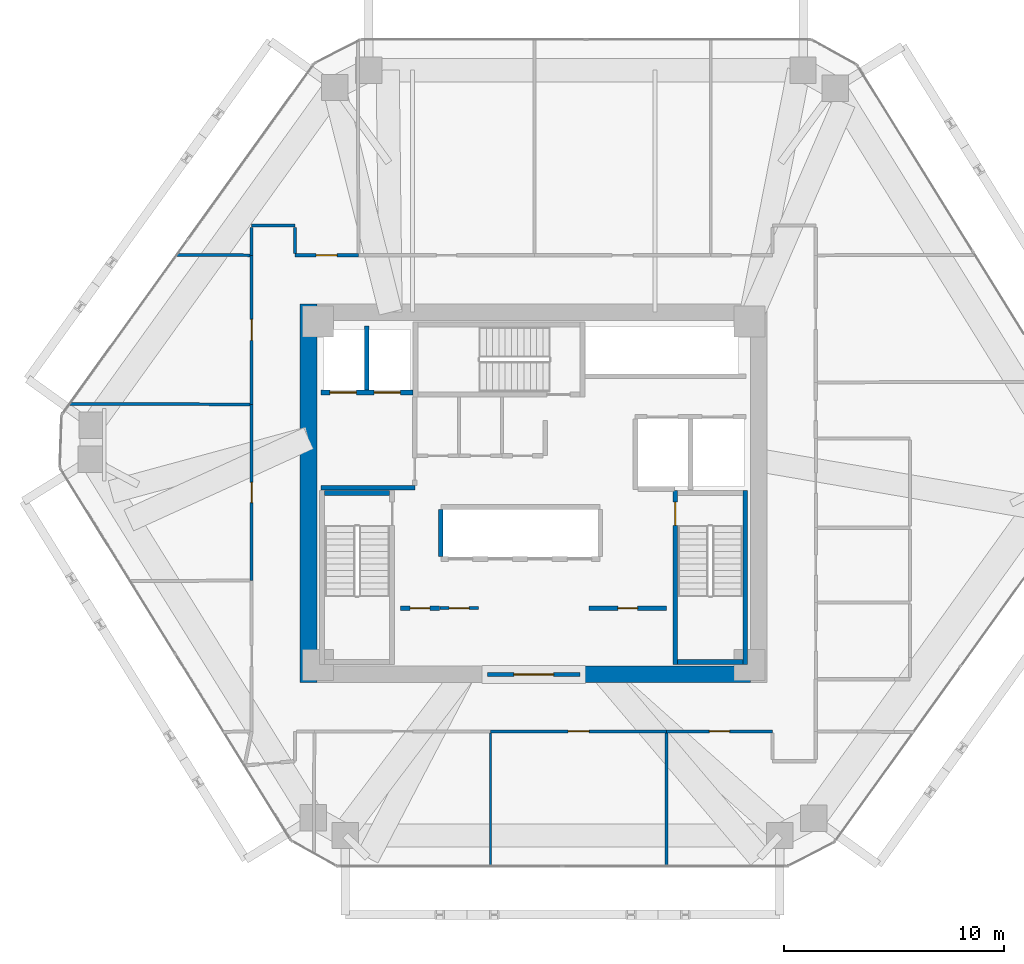
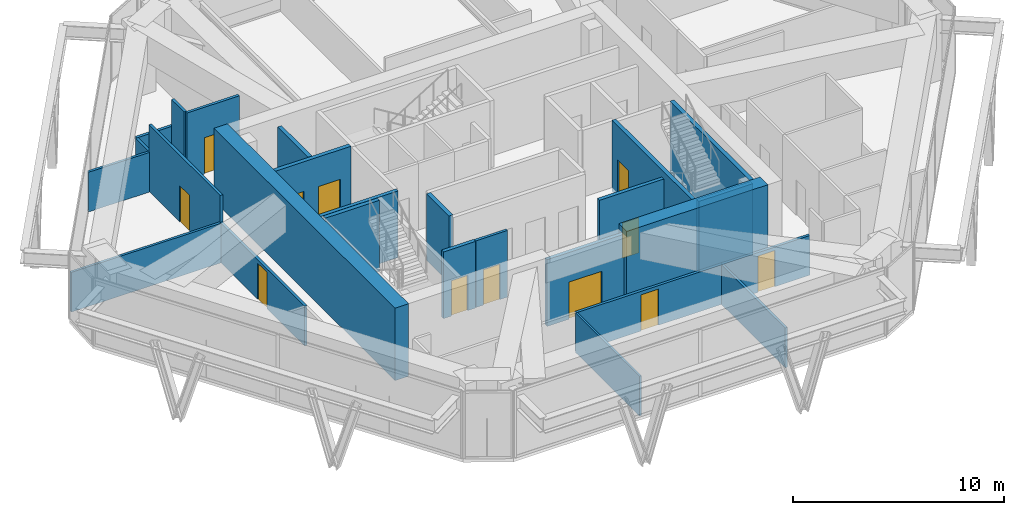
# One storey, part 10 of 14: 26 walls, 12 doors, 12 openings.
"""IFC4 building model written with IfcOpenShell, lengths in metres."""

from ifc_helpers import new_model, si_unit, direction, frame, frame_2d, origin, place, context, subcontext, project, spatial, rectangle, extrude, source, transform, mapped, material, layer, layer_set, type_object, type_shapes, element, fill, save


model = new_model("IFC4")

# Units and contexts
model_context = context("Model", 3, precision=1e-05, world=origin(), true_north=direction((0.0, 1.0)))
body_context = subcontext(model_context, "Body", "Model", "MODEL_VIEW")
ifc_project = project(units=[si_unit("LENGTHUNIT", "METRE"), si_unit("AREAUNIT", "SQUARE_METRE"), si_unit("VOLUMEUNIT", "CUBIC_METRE"), si_unit("PLANEANGLEUNIT", "RADIAN"), si_unit("MASSUNIT", "GRAM", prefix="KILO")], contexts=[model_context])

# Site, building, storey
site_placement = place(None, origin())
site = spatial("IfcSite", under=ifc_project, at=site_placement, CompositionType="ELEMENT")
building_placement = place(site_placement, origin())
building = spatial("IfcBuilding", under=site, at=building_placement, Name="Durnholm Broadcast Tower", CompositionType="ELEMENT")
storey_placement = place(building_placement, frame((0.0, 0.0, 146.10009765625)))
storey = spatial("IfcBuildingStorey", under=building, at=storey_placement, Name="L40", CompositionType="ELEMENT", Elevation=146.10009765625)

# Walls
ifc_material_1 = material(Name="Concrete C70/85", Category="concrete")
ifc_layer_1 = layer(ifc_material_1, 0.75)
ifc_layer_set_1 = layer_set([ifc_layer_1], Name="Concrete C70/85")
wall_type_1 = type_object("IfcWallType", Name="WALL-CW-750", PredefinedType="SHEAR", material=ifc_layer_set_1)
wall_1_placement = place(storey_placement, frame((-10.22509765625, -8.60009765625, 0.0), z_axis=(0.0, 0.0, 1.0), x_axis=(0.0, 1.0, 0.0)))
element("IfcWall", 1, at=wall_1_placement, inside=storey, type_object=wall_type_1, Name="L40 central core shear wall CW-WEST", PredefinedType="SHEAR", context=body_context, shape_type="SweptSolid", body=[
    extrude(rectangle(XDim=17.2001953125, YDim=0.75, at=frame_2d((8.60009765625, 0.0))), origin(), (0.0, 0.0, 1.0), 4.199951171875),
])
wall_2_placement = place(storey_placement, frame((2.10009765625, -8.22509765625, 0.0), z_axis=(0.0, 0.0, 1.0), x_axis=(1.0, 0.0, 0.0)))
element("IfcWall", 2, at=wall_2_placement, inside=storey, type_object=wall_type_1, Name="L40 central core shear wall CW-S2", PredefinedType="SHEAR", context=body_context, shape_type="SweptSolid", body=[
    extrude(rectangle(XDim=7.75, YDim=0.75, at=frame_2d((3.875, 0.0))), origin(), (0.0, 0.0, 1.0), 4.199951171875),
])

# Wall, opening, door
ifc_material_2 = material(Name="Fire-Rated Gypsum Shaftwall", Category="concrete")
ifc_layer_2 = layer(ifc_material_2, 0.199951171875)
ifc_layer_set_2 = layer_set([ifc_layer_2], Name="Fire-Rated Gypsum Shaftwall")
wall_type_2 = type_object("IfcWallType", Name="WALL-LOB-200", PredefinedType="SOLIDWALL", material=ifc_layer_set_2)
wall_3_placement = place(storey_placement, frame((-2.10009765625, -8.22509765625, 0.0), z_axis=(0.0, 0.0, 1.0), x_axis=(1.0, 0.0, 0.0)))
wall_3 = element("IfcWall", 3, at=wall_3_placement, inside=storey, type_object=wall_type_2, Name="L40 south core lobby fire screen", PredefinedType="SOLIDWALL", context=body_context, shape_type="SweptSolid", body=[
    extrude(rectangle(XDim=4.2001953125, YDim=0.199951171875, at=frame_2d((2.10009765625, 0.0))), origin(), (0.0, 0.0, 1.0), 3.864990234375),
])
opening_1_placement = place(wall_3_placement, frame((1.199951171875, 0.0, 0.0)))
opening_1 = element("IfcOpeningElement", 4, at=opening_1_placement, cuts=wall_3, Name="Opening DP-60", PredefinedType="OPENING", context=body_context, shape_type="SweptSolid", body=[
    extrude(rectangle(XDim=1.800048828125, YDim=2.14990234375, at=frame_2d((0.89990234375, 1.074951171875))), frame((0.0, 0.10986328125, 0.0), z_axis=(0.0, -1.0, 0.0), x_axis=(1.0, 0.0, 0.0)), (0.0, 0.0, 1.0), 0.219970703125),
])
ifc_material_3 = material(Name="Fire-Rated Double Corridor Door", Category="steel")
ifc_layer_3 = layer(ifc_material_3, 0.050048828125)
ifc_layer_set_3 = layer_set([ifc_layer_3], Name="Fire-Rated Double Corridor Door")
door_type_1 = type_object("IfcDoorType", Name="DOOR-PAIR-FD60", OperationType="DOUBLE_DOOR_SINGLE_SWING", PredefinedType="DOOR", material=ifc_layer_set_3)
shared_shape_1 = source(origin(), body_context, "Body", "SweptSolid", [
    extrude(rectangle(XDim=1.800048828125, YDim=2.14990234375, at=frame_2d((0.89990234375, 1.074951171875))), frame((0.0, 0.02490234375, 0.0), z_axis=(0.0, -1.0, 0.0), x_axis=(1.0, 0.0, 0.0)), (0.0, 0.0, 1.0), 0.050048828125),
])
type_shapes(door_type_1, [shared_shape_1])
door_1_placement = place(opening_1_placement, origin())
door_1 = element("IfcDoor", 5, at=door_1_placement, inside=storey, type_object=door_type_1, Name="L40 south core lobby double fire door", OperationType="DOUBLE_DOOR_SINGLE_SWING", OverallHeight=2.14990234375, OverallWidth=1.800048828125, PredefinedType="DOOR", context=body_context, shape_type="MappedRepresentation", body=[
    mapped(shared_shape_1, transform((0.0, 0.0, 0.0), x_axis=(1.0, 0.0, 0.0), y_axis=(0.0, 1.0, 0.0), z_axis=(0.0, 0.0, 1.0), scale=1.0)),
])
fill(opening_1, door_1)

# Wall
wall_4_placement = place(storey_placement, frame((-9.64990234375, 0.25, 0.0), z_axis=(0.0, 0.0, 1.0), x_axis=(1.0, 0.0, 0.0)))
element("IfcWall", 6, at=wall_4_placement, inside=storey, type_object=wall_type_2, Name="L40 Fire Service Access Elevator lobby south wall", PredefinedType="SOLIDWALL", context=body_context, shape_type="SweptSolid", body=[
    extrude(rectangle(XDim=4.27001953125, YDim=0.199951171875, at=frame_2d((2.135009765625, 0.0))), origin(), (0.0, 0.0, 1.0), 3.864990234375),
])

# Wall, opening, door
wall_5_placement = place(storey_placement, frame((-6.0400390625, -5.2099609375, 0.0), z_axis=(0.0, 0.0, 1.0), x_axis=(1.0, 0.0, 0.0)))
wall_5 = element("IfcWall", 7, at=wall_5_placement, inside=storey, type_object=wall_type_2, Name="L40 Media Fiber Patch Room corridor partition", PredefinedType="SOLIDWALL", context=body_context, shape_type="SweptSolid", body=[
    extrude(rectangle(XDim=1.760009765625, YDim=0.199951171875, at=frame_2d((0.8798828125, 0.0))), origin(), (0.0, 0.0, 1.0), 3.864990234375),
])
opening_2_placement = place(wall_5_placement, frame((0.429931640625, 0.0, 0.0)))
opening_2 = element("IfcOpeningElement", 8, at=opening_2_placement, cuts=wall_5, Name="Opening DC-60R", PredefinedType="OPENING", context=body_context, shape_type="SweptSolid", body=[
    extrude(rectangle(XDim=0.89990234375, YDim=2.050048828125, at=frame_2d((0.449951171875, 1.02490234375))), frame((0.0, 0.10986328125, 0.0), z_axis=(0.0, -1.0, 0.0), x_axis=(1.0, 0.0, 0.0)), (0.0, 0.0, 1.0), 0.219970703125),
])
ifc_material_4 = material(Name="Fire-Rated Core Service Door", Category="steel")
ifc_layer_4 = layer(ifc_material_4, 0.050048828125)
ifc_layer_set_4 = layer_set([ifc_layer_4], Name="Fire-Rated Core Service Door")
door_type_2 = type_object("IfcDoorType", Name="DOOR-CORE-FD60-R", OperationType="NOTDEFINED", PredefinedType="DOOR", material=ifc_layer_set_4)
shared_shape_2 = source(origin(), body_context, "Body", "SweptSolid", [
    extrude(rectangle(XDim=0.89990234375, YDim=2.050048828125, at=frame_2d((0.449951171875, 1.02490234375))), frame((0.0, 0.02490234375, 0.0), z_axis=(0.0, -1.0, 0.0), x_axis=(1.0, 0.0, 0.0)), (0.0, 0.0, 1.0), 0.050048828125),
])
type_shapes(door_type_2, [shared_shape_2])
door_2_placement = place(opening_2_placement, origin())
door_2 = element("IfcDoor", 9, at=door_2_placement, inside=storey, type_object=door_type_2, Name="L40 Media Fiber Patch Room entrance door", OperationType="SINGLE_SWING_RIGHT", OverallHeight=2.050048828125, OverallWidth=0.89990234375, PredefinedType="DOOR", context=body_context, shape_type="MappedRepresentation", body=[
    mapped(shared_shape_2, transform((0.0, 0.0, 0.0), x_axis=(1.0, 0.0, 0.0), y_axis=(0.0, 1.0, 0.0), z_axis=(0.0, 0.0, 1.0), scale=1.0)),
])
fill(opening_2, door_2)

wall_6_placement = place(storey_placement, frame((2.510009765625, -5.2099609375, 0.0), z_axis=(0.0, 0.0, 1.0), x_axis=(1.0, 0.0, 0.0)))
wall_6 = element("IfcWall", 10, at=wall_6_placement, inside=storey, type_object=wall_type_2, Name="L40 Telemetry Control Closet corridor partition", PredefinedType="SOLIDWALL", context=body_context, shape_type="SweptSolid", body=[
    extrude(rectangle(XDim=3.530029296875, YDim=0.199951171875, at=frame_2d((1.76513671875, 0.0))), origin(), (0.0, 0.0, 1.0), 3.864990234375),
])
opening_3_placement = place(wall_6_placement, frame((1.31494140625, 0.0, 0.0)))
opening_3 = element("IfcOpeningElement", 11, at=opening_3_placement, cuts=wall_6, Name="Opening DC-60R", PredefinedType="OPENING", context=body_context, shape_type="SweptSolid", body=[
    extrude(rectangle(XDim=0.89990234375, YDim=2.050048828125, at=frame_2d((0.449951171875, 1.02490234375))), frame((0.0, 0.10986328125, 0.0), z_axis=(0.0, -1.0, 0.0), x_axis=(1.0, 0.0, 0.0)), (0.0, 0.0, 1.0), 0.219970703125),
])
door_3_placement = place(opening_3_placement, origin())
door_3 = element("IfcDoor", 12, at=door_3_placement, inside=storey, type_object=door_type_2, Name="L40 Telemetry Control Closet entrance door", OperationType="SINGLE_SWING_RIGHT", OverallHeight=2.050048828125, OverallWidth=0.89990234375, PredefinedType="DOOR", context=body_context, shape_type="MappedRepresentation", body=[
    mapped(shared_shape_2, transform((0.0, 0.0, 0.0), x_axis=(1.0, 0.0, 0.0), y_axis=(0.0, 1.0, 0.0), z_axis=(0.0, 0.0, 1.0), scale=1.0)),
])
fill(opening_3, door_3)

# Walls
ifc_material_5 = material(Name="Operable Acoustic Panel Partition", Category="aluminium")
ifc_layer_5 = layer(ifc_material_5, 0.110107421875)
ifc_layer_set_5 = layer_set([ifc_layer_5], Name="Operable Acoustic Panel Partition")
wall_type_3 = type_object("IfcWallType", Name="WALL-MOV-110", PredefinedType="MOVABLE", material=ifc_layer_set_5)
wall_7_placement = place(storey_placement, frame((-1.9599609375, -10.888916015625, 0.0), z_axis=(0.0, 0.0, 1.0), x_axis=(0.0, -1.0, 0.0)))
element("IfcWall", 13, at=wall_7_placement, inside=storey, type_object=wall_type_3, Name="L40 room dividing partition 15.16", PredefinedType="MOVABLE", context=body_context, shape_type="SweptSolid", body=[
    extrude(rectangle(XDim=6.048095703125, YDim=0.110107421875, at=frame_2d((3.02392578125, 0.0))), origin(), (0.0, 0.0, 1.0), 2.2998046875),
])
ifc_material_6 = material(Name="Gypsum Metal Stud Partition", Category="concrete")
ifc_layer_6 = layer(ifc_material_6, 0.135009765625)
ifc_layer_set_6 = layer_set([ifc_layer_6], Name="Gypsum Metal Stud Partition")
wall_type_4 = type_object("IfcWallType", Name="WALL-PART-135", PredefinedType="PARTITIONING", material=ifc_layer_set_6)
wall_8_placement = place(storey_placement, frame((-12.888916015625, 10.810546875, 0.0), z_axis=(0.0, 0.0, 1.0), x_axis=(-0.999976657862, 0.006832549348, 0.0)))
element("IfcWall", 14, at=wall_8_placement, inside=storey, type_object=wall_type_4, Name="L40 room dividing partition 10.20", PredefinedType="PARTITIONING", context=body_context, shape_type="SweptSolid", body=[
    extrude(rectangle(XDim=3.322998046875, YDim=0.135009765625, at=frame_2d((1.66162109375, 0.0))), origin(), (0.0, 0.0, 1.0), 2.2998046875),
])
wall_9_placement = place(storey_placement, frame((6.0400390625, -10.888916015625, 0.0), z_axis=(0.0, 0.0, 1.0), x_axis=(0.0, -1.0, 0.0)))
element("IfcWall", 15, at=wall_9_placement, inside=storey, type_object=wall_type_4, Name="L40 room dividing partition 16.17", PredefinedType="PARTITIONING", context=body_context, shape_type="SweptSolid", body=[
    extrude(rectangle(XDim=6.048095703125, YDim=0.135009765625, at=frame_2d((3.02392578125, 0.0))), origin(), (0.0, 0.0, 1.0), 2.2998046875),
])
wall_10_placement = place(storey_placement, frame((-21.075439453125, 4.063232421875, 0.0), z_axis=(0.0, 0.0, 1.0), x_axis=(0.999996070799, -0.002803281363, 0.0)))
element("IfcWall", 16, at=wall_10_placement, inside=storey, type_object=wall_type_4, Name="L40 room dividing partition 19.20", PredefinedType="PARTITIONING", context=body_context, shape_type="SweptSolid", body=[
    extrude(rectangle(XDim=8.1865234375, YDim=0.135009765625, at=frame_2d((4.09326171875, 0.0))), origin(), (0.0, 0.0, 1.0), 2.2998046875),
])

# Wall, opening, door
ifc_material_7 = material(Name="Acoustic Gypsum Stud Partition", Category="concrete")
ifc_layer_7 = layer(ifc_material_7, 0.14990234375)
ifc_layer_set_7 = layer_set([ifc_layer_7], Name="Acoustic Gypsum Stud Partition")
wall_type_5 = type_object("IfcWallType", Name="WALL-PART-150", PredefinedType="PARTITIONING", material=ifc_layer_set_7)
wall_11_placement = place(storey_placement, frame((-4.260009765625, -5.2099609375, 0.0), z_axis=(0.0, 0.0, 1.0), x_axis=(1.0, 0.0, 0.0)))
wall_11 = element("IfcWall", 17, at=wall_11_placement, inside=storey, type_object=wall_type_5, Name="L40 Copy and Print Room corridor partition", PredefinedType="PARTITIONING", context=body_context, shape_type="SweptSolid", body=[
    extrude(rectangle(XDim=1.75, YDim=0.14990234375, at=frame_2d((0.875, 0.0))), origin(), (0.0, 0.0, 1.0), 3.864990234375),
])
opening_4_placement = place(wall_11_placement, frame((0.425048828125, 0.0, 0.0)))
opening_4 = element("IfcOpeningElement", 18, at=opening_4_placement, cuts=wall_11, Name="Opening DC-60L", PredefinedType="OPENING", context=body_context, shape_type="SweptSolid", body=[
    extrude(rectangle(XDim=0.89990234375, YDim=2.050048828125, at=frame_2d((0.449951171875, 1.02490234375))), frame((0.0, 0.0849609375, 0.0), z_axis=(0.0, -1.0, 0.0), x_axis=(1.0, 0.0, 0.0)), (0.0, 0.0, 1.0), 0.169921875),
])
ifc_layer_8 = layer(ifc_material_4, 0.050048828125)
ifc_layer_set_8 = layer_set([ifc_layer_8], Name="Fire-Rated Core Service Door")
door_type_3 = type_object("IfcDoorType", Name="DOOR-CORE-FD60-L", OperationType="NOTDEFINED", PredefinedType="DOOR", material=ifc_layer_set_8)
shared_shape_3 = source(origin(), body_context, "Body", "SweptSolid", [
    extrude(rectangle(XDim=0.89990234375, YDim=2.050048828125, at=frame_2d((0.449951171875, 1.02490234375))), frame((0.0, 0.02490234375, 0.0), z_axis=(0.0, -1.0, 0.0), x_axis=(1.0, 0.0, 0.0)), (0.0, 0.0, 1.0), 0.050048828125),
])
type_shapes(door_type_3, [shared_shape_3])
door_4_placement = place(opening_4_placement, origin())
door_4 = element("IfcDoor", 19, at=door_4_placement, inside=storey, type_object=door_type_3, Name="L40 Copy and Print Room entrance door", OperationType="SINGLE_SWING_LEFT", OverallHeight=2.050048828125, OverallWidth=0.89990234375, PredefinedType="DOOR", context=body_context, shape_type="MappedRepresentation", body=[
    mapped(shared_shape_3, transform((0.0, 0.0, 0.0), x_axis=(1.0, 0.0, 0.0), y_axis=(0.0, 1.0, 0.0), z_axis=(0.0, 0.0, 1.0), scale=1.0)),
])
fill(opening_4, door_4)

wall_12_placement = place(storey_placement, frame((-7.9599609375, 10.81005859375, 0.0), z_axis=(0.0, 0.0, 1.0), x_axis=(-1.0, 0.0, 0.0)))
wall_12 = element("IfcWall", 20, at=wall_12_placement, inside=storey, type_object=wall_type_5, Name="L40 Compliance Office 1 corridor partition", PredefinedType="PARTITIONING", context=body_context, shape_type="SweptSolid", body=[
    extrude(rectangle(XDim=2.880126953125, YDim=0.14990234375, at=frame_2d((1.43994140625, 0.0))), origin(), (0.0, 0.0, 1.0), 3.864990234375),
])
opening_5_placement = place(wall_12_placement, frame((0.965087890625, 0.0, 0.0)))
opening_5 = element("IfcOpeningElement", 21, at=opening_5_placement, cuts=wall_12, Name="Opening DR-95L", PredefinedType="OPENING", context=body_context, shape_type="SweptSolid", body=[
    extrude(rectangle(XDim=0.949951171875, YDim=2.10009765625, at=frame_2d((0.47509765625, 1.050048828125))), frame((0.0, 0.0849609375, 0.0), z_axis=(0.0, -1.0, 0.0), x_axis=(1.0, 0.0, 0.0)), (0.0, 0.0, 1.0), 0.169921875),
])
ifc_material_8 = material(Name="Acoustic Oak Veneer Timber Door", Category="wood")
ifc_layer_9 = layer(ifc_material_8, 0.050048828125)
ifc_layer_set_9 = layer_set([ifc_layer_9], Name="Acoustic Oak Veneer Timber Door")
door_type_4 = type_object("IfcDoorType", Name="DOOR-RM-950L", OperationType="NOTDEFINED", PredefinedType="DOOR", material=ifc_layer_set_9)
shared_shape_4 = source(origin(), body_context, "Body", "SweptSolid", [
    extrude(rectangle(XDim=0.949951171875, YDim=2.10009765625, at=frame_2d((0.47509765625, 1.050048828125))), frame((0.0, 0.02490234375, 0.0), z_axis=(0.0, -1.0, 0.0), x_axis=(1.0, 0.0, 0.0)), (0.0, 0.0, 1.0), 0.050048828125),
])
type_shapes(door_type_4, [shared_shape_4])
door_5_placement = place(opening_5_placement, origin())
door_5 = element("IfcDoor", 22, at=door_5_placement, inside=storey, type_object=door_type_4, Name="L40 Compliance Office 1 entrance door", OperationType="SINGLE_SWING_LEFT", OverallHeight=2.10009765625, OverallWidth=0.949951171875, PredefinedType="DOOR", context=body_context, shape_type="MappedRepresentation", body=[
    mapped(shared_shape_4, transform((0.0, 0.0, 0.0), x_axis=(1.0, 0.0, 0.0), y_axis=(0.0, 1.0, 0.0), z_axis=(0.0, 0.0, 1.0), scale=1.0)),
])
fill(opening_5, door_5)

# Walls
wall_13_placement = place(storey_placement, frame((-10.840087890625, 12.159912109375, 0.0), z_axis=(0.0, 0.0, 1.0), x_axis=(-1.0, 0.0, 0.0)))
element("IfcWall", 23, at=wall_13_placement, inside=storey, type_object=wall_type_5, Name="L40 Compliance Office 1 corridor partition", PredefinedType="PARTITIONING", context=body_context, shape_type="SweptSolid", body=[
    extrude(rectangle(XDim=1.969970703125, YDim=0.14990234375, at=frame_2d((0.98486328125, 0.0))), origin(), (0.0, 0.0, 1.0), 2.2998046875),
])
wall_14_placement = place(storey_placement, frame((-10.840087890625, 10.888916015625, 0.0), z_axis=(0.0, 0.0, 1.0), x_axis=(0.0, 1.0, 0.0)))
element("IfcWall", 24, at=wall_14_placement, inside=storey, type_object=wall_type_5, Name="L40 Compliance Office 1 corridor partition", PredefinedType="PARTITIONING", context=body_context, shape_type="SweptSolid", body=[
    extrude(rectangle(XDim=1.192138671875, YDim=0.14990234375, at=frame_2d((0.59619140625, 0.0))), origin(), (0.0, 0.0, 1.0), 3.864990234375),
])
wall_15_placement = place(storey_placement, frame((-12.81005859375, 12.0810546875, 0.0), z_axis=(0.0, 0.0, 1.0), x_axis=(0.0, -1.0, 0.0)))
element("IfcWall", 25, at=wall_15_placement, inside=storey, type_object=wall_type_5, Name="L40 Compliance Office 1 corridor partition", PredefinedType="PARTITIONING", context=body_context, shape_type="SweptSolid", body=[
    extrude(rectangle(XDim=1.27099609375, YDim=0.14990234375, at=frame_2d((0.635498046875, 0.0))), origin(), (0.0, 0.0, 1.0), 2.2998046875),
])

# Wall, opening, door
wall_16_placement = place(storey_placement, frame((-1.9599609375, -10.81005859375, 0.0), z_axis=(0.0, 0.0, 1.0), x_axis=(1.0, 0.0, 0.0)))
wall_16 = element("IfcWall", 26, at=wall_16_placement, inside=storey, type_object=wall_type_5, Name="L40 Regulatory Office corridor partition", PredefinedType="PARTITIONING", context=body_context, shape_type="SweptSolid", body=[
    extrude(rectangle(XDim=8.0, YDim=0.14990234375, at=frame_2d((4.0, 0.0))), origin(), (0.0, 0.0, 1.0), 2.2998046875),
])
opening_6_placement = place(wall_16_placement, frame((3.52490234375, 0.0, 0.0)))
opening_6 = element("IfcOpeningElement", 27, at=opening_6_placement, cuts=wall_16, Name="Opening DR-95L", PredefinedType="OPENING", context=body_context, shape_type="SweptSolid", body=[
    extrude(rectangle(XDim=0.949951171875, YDim=2.10009765625, at=frame_2d((0.47509765625, 1.050048828125))), frame((0.0, 0.0849609375, 0.0), z_axis=(0.0, -1.0, 0.0), x_axis=(1.0, 0.0, 0.0)), (0.0, 0.0, 1.0), 0.169921875),
])
door_6_placement = place(opening_6_placement, origin())
door_6 = element("IfcDoor", 28, at=door_6_placement, inside=storey, type_object=door_type_4, Name="L40 Regulatory Office entrance door", OperationType="SINGLE_SWING_LEFT", OverallHeight=2.10009765625, OverallWidth=0.949951171875, PredefinedType="DOOR", context=body_context, shape_type="MappedRepresentation", body=[
    mapped(shared_shape_4, transform((0.0, 0.0, 0.0), x_axis=(1.0, 0.0, 0.0), y_axis=(0.0, 1.0, 0.0), z_axis=(0.0, 0.0, 1.0), scale=1.0)),
])
fill(opening_6, door_6)

wall_17_placement = place(storey_placement, frame((6.0400390625, -10.81005859375, 0.0), z_axis=(0.0, 0.0, 1.0), x_axis=(1.0, 0.0, 0.0)))
wall_17 = element("IfcWall", 29, at=wall_17_placement, inside=storey, type_object=wall_type_5, Name="L40 Open Plan Broadcast Workspace 3 corridor partition", PredefinedType="PARTITIONING", context=body_context, shape_type="SweptSolid", body=[
    extrude(rectangle(XDim=4.800048828125, YDim=0.14990234375, at=frame_2d((2.39990234375, 0.0))), origin(), (0.0, 0.0, 1.0), 2.2998046875),
])
opening_7_placement = place(wall_17_placement, frame((1.93994140625, 0.0, 0.0)))
opening_7 = element("IfcOpeningElement", 30, at=opening_7_placement, cuts=wall_17, Name="Opening DR-92R", PredefinedType="OPENING", context=body_context, shape_type="SweptSolid", body=[
    extrude(rectangle(XDim=0.919921875, YDim=2.10009765625, at=frame_2d((0.4599609375, 1.050048828125))), frame((0.0, 0.0849609375, 0.0), z_axis=(0.0, -1.0, 0.0), x_axis=(1.0, 0.0, 0.0)), (0.0, 0.0, 1.0), 0.169921875),
])
ifc_material_9 = material(Name="Oak Veneer Office Door", Category="wood")
ifc_layer_10 = layer(ifc_material_9, 0.050048828125)
ifc_layer_set_10 = layer_set([ifc_layer_10], Name="Oak Veneer Office Door")
door_type_5 = type_object("IfcDoorType", Name="DOOR-RM-920R", OperationType="NOTDEFINED", PredefinedType="DOOR", material=ifc_layer_set_10)
shared_shape_5 = source(origin(), body_context, "Body", "SweptSolid", [
    extrude(rectangle(XDim=0.919921875, YDim=2.10009765625, at=frame_2d((0.4599609375, 1.050048828125))), frame((0.0, 0.02490234375, 0.0), z_axis=(0.0, -1.0, 0.0), x_axis=(1.0, 0.0, 0.0)), (0.0, 0.0, 1.0), 0.050048828125),
])
type_shapes(door_type_5, [shared_shape_5])
door_7_placement = place(opening_7_placement, origin())
door_7 = element("IfcDoor", 31, at=door_7_placement, inside=storey, type_object=door_type_5, Name="L40 Open Plan Broadcast Workspace 3 entrance door", OperationType="SINGLE_SWING_RIGHT", OverallHeight=2.10009765625, OverallWidth=0.919921875, PredefinedType="DOOR", context=body_context, shape_type="MappedRepresentation", body=[
    mapped(shared_shape_5, transform((0.0, 0.0, 0.0), x_axis=(1.0, 0.0, 0.0), y_axis=(0.0, 1.0, 0.0), z_axis=(0.0, 0.0, 1.0), scale=1.0)),
])
fill(opening_7, door_7)

wall_18_placement = place(storey_placement, frame((-12.81005859375, 4.0400390625, 0.0), z_axis=(0.0, 0.0, 1.0), x_axis=(0.0, -1.0, 0.0)))
wall_18 = element("IfcWall", 32, at=wall_18_placement, inside=storey, type_object=wall_type_5, Name="L40 Compliance Office 2 corridor partition", PredefinedType="PARTITIONING", context=body_context, shape_type="SweptSolid", body=[
    extrude(rectangle(XDim=8.0, YDim=0.14990234375, at=frame_2d((4.0, 0.0))), origin(), (0.0, 0.0, 1.0), 2.2998046875),
])
opening_8_placement = place(wall_18_placement, frame((3.5400390625, 0.0, 0.0)))
opening_8 = element("IfcOpeningElement", 33, at=opening_8_placement, cuts=wall_18, Name="Opening DR-92R", PredefinedType="OPENING", context=body_context, shape_type="SweptSolid", body=[
    extrude(rectangle(XDim=0.919921875, YDim=2.10009765625, at=frame_2d((0.4599609375, 1.050048828125))), frame((0.0, 0.0849609375, 0.0), z_axis=(0.0, -1.0, 0.0), x_axis=(1.0, 0.0, 0.0)), (0.0, 0.0, 1.0), 0.169921875),
])
door_8_placement = place(opening_8_placement, origin())
door_8 = element("IfcDoor", 34, at=door_8_placement, inside=storey, type_object=door_type_5, Name="L40 Compliance Office 2 entrance door", OperationType="SINGLE_SWING_RIGHT", OverallHeight=2.10009765625, OverallWidth=0.919921875, PredefinedType="DOOR", context=body_context, shape_type="MappedRepresentation", body=[
    mapped(shared_shape_5, transform((0.0, 0.0, 0.0), x_axis=(1.0, 0.0, 0.0), y_axis=(0.0, 1.0, 0.0), z_axis=(0.0, 0.0, 1.0), scale=1.0)),
])
fill(opening_8, door_8)

wall_19_placement = place(storey_placement, frame((-12.81005859375, 10.81005859375, 0.0), z_axis=(0.0, 0.0, 1.0), x_axis=(0.0, -1.0, 0.0)))
wall_19 = element("IfcWall", 35, at=wall_19_placement, inside=storey, type_object=wall_type_5, Name="L40 Captioning Office corridor partition", PredefinedType="PARTITIONING", context=body_context, shape_type="SweptSolid", body=[
    extrude(rectangle(XDim=6.77001953125, YDim=0.14990234375, at=frame_2d((3.385009765625, 0.0))), origin(), (0.0, 0.0, 1.0), 3.864990234375),
])
opening_9_placement = place(wall_19_placement, frame((2.909912109375, 0.0, 0.0)))
opening_9 = element("IfcOpeningElement", 36, at=opening_9_placement, cuts=wall_19, Name="Opening DR-95L", PredefinedType="OPENING", context=body_context, shape_type="SweptSolid", body=[
    extrude(rectangle(XDim=0.949951171875, YDim=2.10009765625, at=frame_2d((0.47509765625, 1.050048828125))), frame((0.0, 0.0849609375, 0.0), z_axis=(0.0, -1.0, 0.0), x_axis=(1.0, 0.0, 0.0)), (0.0, 0.0, 1.0), 0.169921875),
])
door_9_placement = place(opening_9_placement, origin())
door_9 = element("IfcDoor", 37, at=door_9_placement, inside=storey, type_object=door_type_4, Name="L40 Captioning Office entrance door", OperationType="SINGLE_SWING_LEFT", OverallHeight=2.10009765625, OverallWidth=0.949951171875, PredefinedType="DOOR", context=body_context, shape_type="MappedRepresentation", body=[
    mapped(shared_shape_4, transform((0.0, 0.0, 0.0), x_axis=(1.0, 0.0, 0.0), y_axis=(0.0, 1.0, 0.0), z_axis=(0.0, 0.0, 1.0), scale=1.0)),
])
fill(opening_9, door_9)

# Wall, openings, doors
ifc_material_10 = material(Name="Concrete Blockwork C30/37", Category="masonry")
ifc_layer_11 = layer(ifc_material_10, 0.219970703125)
ifc_layer_set_11 = layer_set([ifc_layer_11], Name="Concrete Blockwork C30/37")
wall_type_6 = type_object("IfcWallType", Name="WALL-SHAFT-220", PredefinedType="SOLIDWALL", material=ifc_layer_set_11)
wall_20_placement = place(storey_placement, frame((-9.64990234375, 4.580078125, 0.0), z_axis=(0.0, 0.0, 1.0), x_axis=(1.0, 0.0, 0.0)))
wall_20 = element("IfcWall", 38, at=wall_20_placement, inside=storey, type_object=wall_type_6, Name="L40 FSAE hoistway front fire wall", PredefinedType="SOLIDWALL", context=body_context, shape_type="SweptSolid", body=[
    extrude(rectangle(XDim=4.1748046875, YDim=0.219970703125, at=frame_2d((2.08740234375, 0.0))), origin(), (0.0, 0.0, 1.0), 3.864990234375),
])
opening_10_placement = place(wall_20_placement, frame((0.39990234375, 0.0, 0.0)))
opening_10 = element("IfcOpeningElement", 39, at=opening_10_placement, cuts=wall_20, Name="Opening LD-FSAE-2", PredefinedType="OPENING", context=body_context, shape_type="SweptSolid", body=[
    extrude(rectangle(XDim=1.199951171875, YDim=2.14990234375, at=frame_2d((0.60009765625, 1.074951171875))), frame((0.0, 0.1201171875, 0.0), z_axis=(0.0, -1.0, 0.0), x_axis=(1.0, 0.0, 0.0)), (0.0, 0.0, 1.0), 0.239990234375),
])
opening_11_placement = place(wall_20_placement, frame((2.39990234375, 0.0, 0.0)))
opening_11 = element("IfcOpeningElement", 40, at=opening_11_placement, cuts=wall_20, Name="Opening LD-FSAE-1", PredefinedType="OPENING", context=body_context, shape_type="SweptSolid", body=[
    extrude(rectangle(XDim=1.199951171875, YDim=2.14990234375, at=frame_2d((0.60009765625, 1.074951171875))), frame((0.0, 0.1201171875, 0.0), z_axis=(0.0, -1.0, 0.0), x_axis=(1.0, 0.0, 0.0)), (0.0, 0.0, 1.0), 0.239990234375),
])
ifc_material_11 = material(Name="Fire Service Access Sliding Landing Door", Category="steel")
ifc_layer_12 = layer(ifc_material_11, 0.050048828125)
ifc_layer_set_12 = layer_set([ifc_layer_12], Name="Fire Service Access Sliding Landing Door")
door_type_6 = type_object("IfcDoorType", Name="DOOR-LIFT-FSAE", OperationType="DOUBLE_DOOR_SLIDING", PredefinedType="DOOR", material=ifc_layer_set_12)
shared_shape_6 = source(origin(), body_context, "Body", "SweptSolid", [
    extrude(rectangle(XDim=1.199951171875, YDim=2.14990234375, at=frame_2d((0.60009765625, 1.074951171875))), frame((0.0, 0.02490234375, 0.0), z_axis=(0.0, -1.0, 0.0), x_axis=(1.0, 0.0, 0.0)), (0.0, 0.0, 1.0), 0.050048828125),
])
type_shapes(door_type_6, [shared_shape_6])
door_10_placement = place(opening_10_placement, origin())
door_10 = element("IfcDoor", 41, at=door_10_placement, inside=storey, type_object=door_type_6, Name="L40 Fire Service Access Elevator FSAE-2 sliding landing door", OperationType="DOUBLE_DOOR_SLIDING", OverallHeight=2.14990234375, OverallWidth=1.199951171875, PredefinedType="DOOR", context=body_context, shape_type="MappedRepresentation", body=[
    mapped(shared_shape_6, transform((0.0, 0.0, 0.0), x_axis=(1.0, 0.0, 0.0), y_axis=(0.0, 1.0, 0.0), z_axis=(0.0, 0.0, 1.0), scale=1.0)),
])
fill(opening_10, door_10)
door_11_placement = place(opening_11_placement, origin())
door_11 = element("IfcDoor", 42, at=door_11_placement, inside=storey, type_object=door_type_6, Name="L40 Fire Service Access Elevator FSAE-1 sliding landing door", OperationType="DOUBLE_DOOR_SLIDING", OverallHeight=2.14990234375, OverallWidth=1.199951171875, PredefinedType="DOOR", context=body_context, shape_type="MappedRepresentation", body=[
    mapped(shared_shape_6, transform((0.0, 0.0, 0.0), x_axis=(1.0, 0.0, 0.0), y_axis=(0.0, 1.0, 0.0), z_axis=(0.0, 0.0, 1.0), scale=1.0)),
])
fill(opening_11, door_11)

# Walls
wall_21_placement = place(storey_placement, frame((-7.580078125, 4.694091796875, 0.0), z_axis=(0.0, 0.0, 1.0), x_axis=(0.0, 1.0, 0.0)))
element("IfcWall", 43, at=wall_21_placement, inside=storey, type_object=wall_type_6, Name="L40 FSAE shaft divider wall", PredefinedType="SOLIDWALL", context=body_context, shape_type="SweptSolid", body=[
    extrude(rectangle(XDim=2.906005859375, YDim=0.219970703125, at=frame_2d((1.453125, 0.0))), origin(), (0.0, 0.0, 1.0), 3.864990234375),
])
wall_22_placement = place(storey_placement, frame((-4.219970703125, -2.865966796875, 0.0), z_axis=(0.0, 0.0, 1.0), x_axis=(0.0, 1.0, 0.0)))
element("IfcWall", 44, at=wall_22_placement, inside=storey, type_object=wall_type_6, Name="L40 mid-rise bank P2 west shaft wall", PredefinedType="SOLIDWALL", context=body_context, shape_type="SweptSolid", body=[
    extrude(rectangle(XDim=2.132080078125, YDim=0.219970703125, at=frame_2d((1.06591796875, 0.0))), origin(), (0.0, 0.0, 1.0), 3.864990234375),
])
ifc_material_12 = material(Name="Concrete C50/60", Category="concrete")
ifc_layer_13 = layer(ifc_material_12, 0.219970703125)
ifc_layer_set_13 = layer_set([ifc_layer_13], Name="Concrete C50/60")
wall_type_7 = type_object("IfcWallType", Name="WALL-SW-220", PredefinedType="SHEAR", material=ifc_layer_set_13)
wall_23_placement = place(storey_placement, frame((-6.5400390625, 0.010009765625, -0.239990234375), z_axis=(0.0, 0.0, 1.0), x_axis=(-1.0, 0.0, 0.0)))
element("IfcWall", 45, at=wall_23_placement, inside=storey, type_object=wall_type_7, Name="L40 stair ST-1 structural shaft wall N", PredefinedType="SHEAR", context=body_context, shape_type="SweptSolid", body=[
    extrude(rectangle(XDim=2.9599609375, YDim=0.219970703125, at=frame_2d((1.47998046875, 0.0))), origin(), (0.0, 0.0, 1.0), 4.119873046875),
])
wall_24_placement = place(storey_placement, frame((9.610107421875, -7.77001953125, -0.239990234375), z_axis=(0.0, 0.0, 1.0), x_axis=(0.0, 1.0, 0.0)))
element("IfcWall", 46, at=wall_24_placement, inside=storey, type_object=wall_type_7, Name="L40 stair ST-2 structural shaft wall E", PredefinedType="SHEAR", context=body_context, shape_type="SweptSolid", body=[
    extrude(rectangle(XDim=7.89013671875, YDim=0.219970703125, at=frame_2d((3.945068359375, 0.0))), origin(), (0.0, 0.0, 1.0), 4.119873046875),
])

# Wall, opening, door
wall_25_placement = place(storey_placement, frame((6.429931640625, 0.1201171875, -0.239990234375), z_axis=(0.0, 0.0, 1.0), x_axis=(0.0, -1.0, 0.0)))
wall_25 = element("IfcWall", 47, at=wall_25_placement, inside=storey, type_object=wall_type_7, Name="L40 stair ST-2 structural shaft wall W", PredefinedType="SHEAR", context=body_context, shape_type="SweptSolid", body=[
    extrude(rectangle(XDim=7.89013671875, YDim=0.219970703125, at=frame_2d((3.945068359375, 0.0))), origin(), (0.0, 0.0, 1.0), 4.119873046875),
])
opening_12_placement = place(wall_25_placement, frame((0.52001953125, 0.0, 0.0)))
opening_12 = element("IfcOpeningElement", 48, at=opening_12_placement, cuts=wall_25, Name="Opening DS-90R", PredefinedType="OPENING", context=body_context, shape_type="SweptSolid", body=[
    extrude(rectangle(XDim=1.050048828125, YDim=2.14990234375, at=frame_2d((0.52490234375, 1.074951171875))), frame((0.0, 0.1201171875, 0.0), z_axis=(0.0, -1.0, 0.0), x_axis=(1.0, 0.0, 0.0)), (0.0, 0.0, 1.0), 0.239990234375),
])
ifc_material_13 = material(Name="Fire-Rated Steel Door", Category="steel")
ifc_layer_14 = layer(ifc_material_13, 0.050048828125)
ifc_layer_set_14 = layer_set([ifc_layer_14], Name="Fire-Rated Steel Door")
door_type_7 = type_object("IfcDoorType", Name="DOOR-ST-FD90-R", OperationType="NOTDEFINED", PredefinedType="DOOR", material=ifc_layer_set_14)
shared_shape_7 = source(origin(), body_context, "Body", "SweptSolid", [
    extrude(rectangle(XDim=1.050048828125, YDim=2.14990234375, at=frame_2d((0.52490234375, 1.074951171875))), frame((0.0, 0.02490234375, 0.0), z_axis=(0.0, -1.0, 0.0), x_axis=(1.0, 0.0, 0.0)), (0.0, 0.0, 1.0), 0.050048828125),
])
type_shapes(door_type_7, [shared_shape_7])
door_12_placement = place(opening_12_placement, origin())
door_12 = element("IfcDoor", 49, at=door_12_placement, inside=storey, type_object=door_type_7, Name="L40 exit stair ST-2 fire door", OperationType="SINGLE_SWING_RIGHT", OverallHeight=2.14990234375, OverallWidth=1.050048828125, PredefinedType="DOOR", context=body_context, shape_type="MappedRepresentation", body=[
    mapped(shared_shape_7, transform((0.0, 0.0, 0.0), x_axis=(1.0, 0.0, 0.0), y_axis=(0.0, 1.0, 0.0), z_axis=(0.0, 0.0, 1.0), scale=1.0)),
])
fill(opening_12, door_12)

# Wall
wall_26_placement = place(storey_placement, frame((6.5400390625, -7.659912109375, -0.239990234375), z_axis=(0.0, 0.0, 1.0), x_axis=(1.0, 0.0, 0.0)))
element("IfcWall", 50, at=wall_26_placement, inside=storey, type_object=wall_type_7, Name="L40 stair ST-2 structural shaft wall S", PredefinedType="SHEAR", context=body_context, shape_type="SweptSolid", body=[
    extrude(rectangle(XDim=2.9599609375, YDim=0.219970703125, at=frame_2d((1.47998046875, 0.0))), origin(), (0.0, 0.0, 1.0), 4.119873046875),
])

save(model, "model.ifc")
